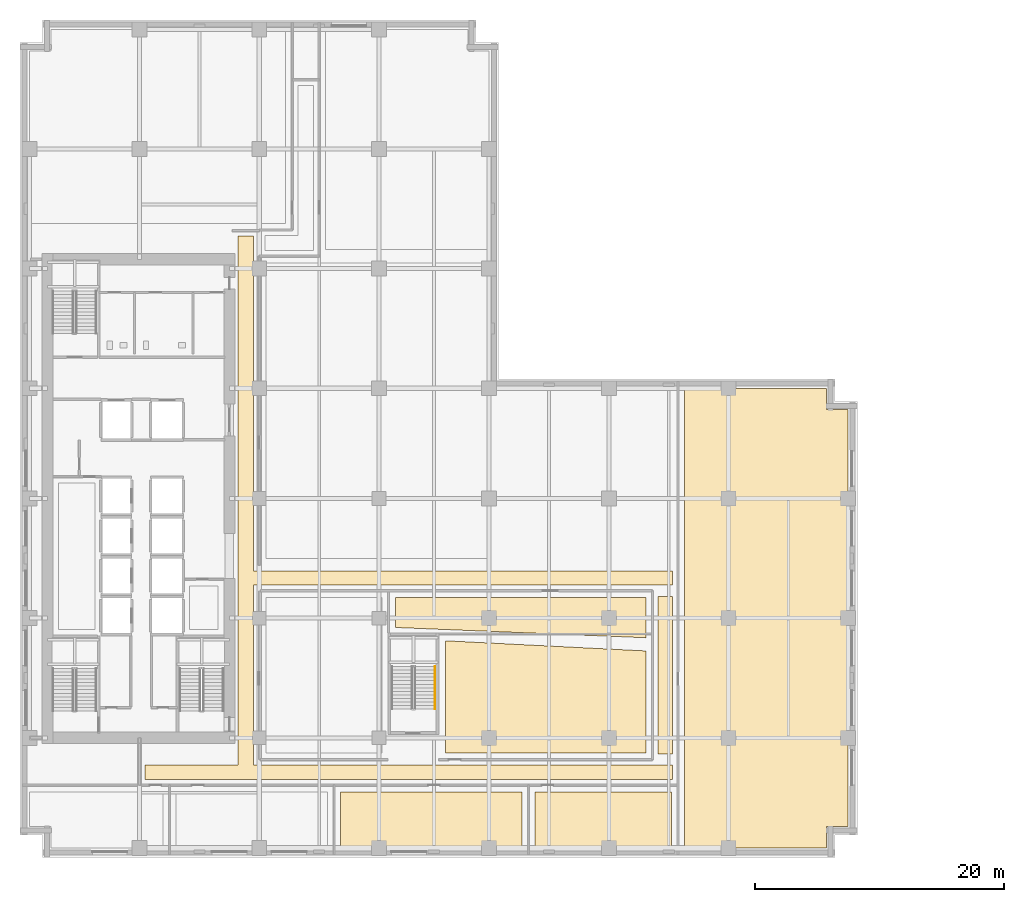
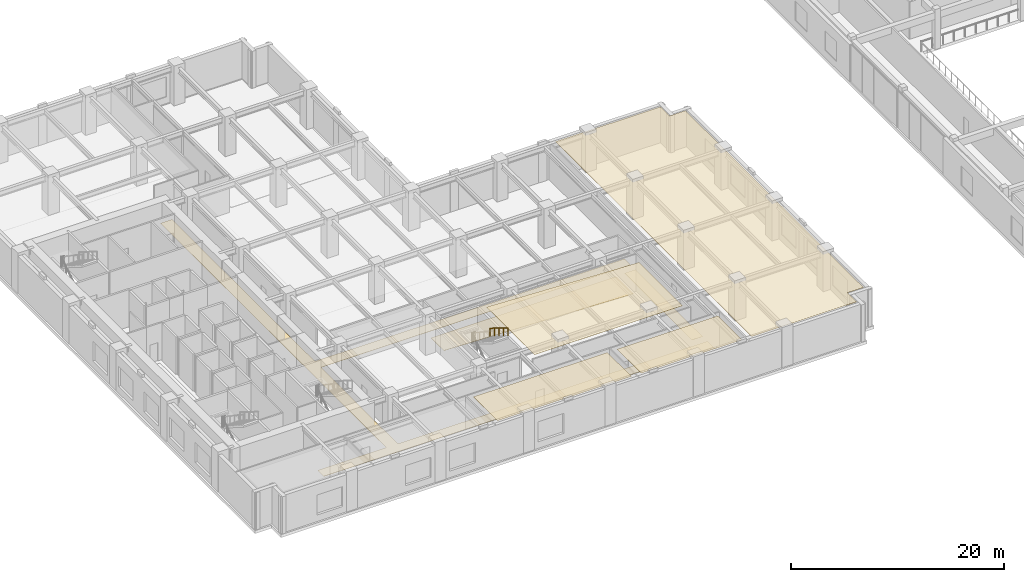
# One storey, part 19 of 24: 7 coverings, 1 railing.
"""IFC4 building model written with IfcOpenShell, lengths in metres."""

from ifc_helpers import new_model, si_unit, direction, frame, origin, origin_2d, place, context, subcontext, project, spatial, polyline, circle, outline, extrude, material, layer, layer_set, type_object, element, save


model = new_model("IFC4")

# Units and contexts
model_context = context("Model", 3, precision=1e-05, world=origin(), true_north=direction((0.0, 1.0)))
body_context = subcontext(model_context, "Body", "Model", "MODEL_VIEW")
ifc_project = project(units=[si_unit("LENGTHUNIT", "METRE"), si_unit("AREAUNIT", "SQUARE_METRE"), si_unit("VOLUMEUNIT", "CUBIC_METRE"), si_unit("PLANEANGLEUNIT", "RADIAN"), si_unit("MASSUNIT", "GRAM", prefix="KILO")], contexts=[model_context])

# Site, building, storey
site_placement = place(None, origin())
site = spatial("IfcSite", under=ifc_project, at=site_placement, CompositionType="ELEMENT")
building_placement = place(site_placement, origin())
building = spatial("IfcBuilding", under=site, at=building_placement, Name="Norrvale University Quadrangle", CompositionType="ELEMENT")
storey_placement = place(building_placement, frame((0.0, 0.0, 10.39990234375)))
storey = spatial("IfcBuildingStorey", under=building, at=storey_placement, Name="L02", CompositionType="ELEMENT", Elevation=10.39990234375)

# Coverings
ifc_material_1 = material(Name="Perforated Acoustic Mineral Ceiling")
ifc_layer_1 = layer(ifc_material_1, 0.02490234375, Name="Perforated Acoustic Mineral Ceiling")
ifc_layer_set_1 = layer_set([ifc_layer_1], Name="Perforated Acoustic Mineral Ceiling")
covering_type_1 = type_object("IfcCoveringType", Name="Covering Acoustic Ceiling 25", PredefinedType="CEILING", material=ifc_layer_set_1)
covering_1_placement = place(storey_placement, frame((0.0, 0.0, 4.235107421875)))
element("IfcCovering", 1, at=covering_1_placement, inside=storey, type_object=covering_type_1, Name="Acoustic Ceiling RM-L02-S03", PredefinedType="CEILING", context=body_context, shape_type="SweptSolid", body=[
    extrude(outline(polyline([(25.72998046875, 5.27001953125), (40.27001953125, 5.27001953125), (40.27001953125, 0.75), (25.72998046875, 0.75), (25.72998046875, 5.27001953125)])), origin(), (0.0, 0.0, 1.0), 0.02490234375),
])
covering_2_placement = place(storey_placement, frame((0.0, 0.0, 4.235107421875)))
element("IfcCovering", 2, at=covering_2_placement, inside=storey, type_object=covering_type_1, Name="Acoustic Ceiling RM-L02-S04", PredefinedType="CEILING", context=body_context, shape_type="SweptSolid", body=[
    extrude(outline(polyline([(41.330078125, 5.27001953125), (52.27001953125, 5.27001953125), (52.27001953125, 0.75), (41.330078125, 0.75), (41.330078125, 5.27001953125)])), origin(), (0.0, 0.0, 1.0), 0.02490234375),
])
covering_3_placement = place(storey_placement, frame((0.0, 0.0, 4.235107421875)))
element("IfcCovering", 3, at=covering_3_placement, inside=storey, type_object=covering_type_1, Name="Acoustic Ceiling RM-L02-E01", PredefinedType="CEILING", context=body_context, shape_type="SweptSolid", body=[
    extrude(outline(polyline([(53.330078125, 0.75), (53.330078125, 37.64990234375), (64.72998046875, 37.64990234375), (64.72998046875, 35.929931640625), (66.449951171875, 35.929931640625), (66.449951171875, 2.469970703125), (64.72998046875, 2.469970703125), (64.72998046875, 0.75), (53.330078125, 0.75)])), origin(), (0.0, 0.0, 1.0), 0.02490234375),
])
covering_4_placement = place(storey_placement, frame((0.0, 0.0, 4.235107421875)))
element("IfcCovering", 4, at=covering_4_placement, inside=storey, type_object=covering_type_1, Name="Acoustic Ceiling RM-L02-ISE", PredefinedType="CEILING", context=body_context, shape_type="SweptSolid", body=[
    extrude(outline(polyline([(34.14990234375, 8.3798828125), (34.14990234375, 17.386962890625), (50.219970703125, 16.572021484375), (50.219970703125, 8.3798828125), (34.14990234375, 8.3798828125)])), origin(), (0.0, 0.0, 1.0), 0.02490234375),
])
ifc_material_2 = material(Name="Polished Terrazzo Flooring")
ifc_layer_2 = layer(ifc_material_2, 0.02490234375, Name="Polished Terrazzo Flooring")
ifc_layer_set_2 = layer_set([ifc_layer_2], Name="Polished Terrazzo Flooring")
covering_type_2 = type_object("IfcCoveringType", Name="Covering Terrazzo Floor 30", PredefinedType="FLOORING", material=ifc_layer_set_2)
covering_5_placement = place(storey_placement, origin())
element("IfcCovering", 5, at=covering_5_placement, inside=storey, type_object=covering_type_2, Name="Terrazzo Flooring RM-L02-CORR1", PredefinedType="FLOORING", context=body_context, shape_type="SweptSolid", body=[
    extrude(outline(polyline([(10.050048828125, 6.25), (10.050048828125, 7.39990234375), (17.5, 7.39990234375), (17.5, 49.85009765625), (18.75, 49.85009765625), (18.75, 23.0), (52.35009765625, 23.0), (52.35009765625, 21.85009765625), (18.75, 21.85009765625), (18.75, 7.39990234375), (52.35009765625, 7.39990234375), (52.35009765625, 6.25), (10.050048828125, 6.25)])), origin(), (0.0, 0.0, 1.0), 0.025146484375),
])
covering_6_placement = place(storey_placement, origin())
element("IfcCovering", 6, at=covering_6_placement, inside=storey, type_object=covering_type_2, Name="Terrazzo Flooring RM-L02-CORR2", PredefinedType="FLOORING", context=body_context, shape_type="SweptSolid", body=[
    extrude(outline(polyline([(51.199951171875, 8.300048828125), (51.199951171875, 20.949951171875), (52.35009765625, 20.949951171875), (52.35009765625, 8.300048828125), (51.199951171875, 8.300048828125)])), origin(), (0.0, 0.0, 1.0), 0.025146484375),
])
covering_7_placement = place(storey_placement, origin())
element("IfcCovering", 7, at=covering_7_placement, inside=storey, type_object=covering_type_2, Name="Terrazzo Flooring RM-L02-ILH", PredefinedType="FLOORING", context=body_context, shape_type="SweptSolid", body=[
    extrude(outline(polyline([(30.1298828125, 18.451904296875), (30.1298828125, 20.8701171875), (50.219970703125, 20.8701171875), (50.219970703125, 17.62890625), (30.1298828125, 18.451904296875)])), origin(), (0.0, 0.0, 1.0), 0.025146484375),
])

# Railing
ifc_material_3 = material(Name="Stainless Steel 316L Handrail", Category="steel")
railing_type = type_object("IfcRailingType", Name="Railing Stair Handrail 920", PredefinedType="HANDRAIL", material=ifc_material_3)
railing_placement = place(storey_placement, frame((33.31005859375, 15.320068359375, 2.47705078125)))
element("IfcRailing", 8, at=railing_placement, inside=storey, type_object=railing_type, Name="Stair Upper Flight Handrail ST-04 L02", PredefinedType="HANDRAIL", context=body_context, shape_type="SweptSolid", body=[
    extrude(circle(Radius=0.02392578125, at=origin_2d()), frame((0.0, 0.0, 0.89599609375), z_axis=(0.0, -0.849619550393, 0.527396074682), x_axis=(1.0, 0.0, 0.0)), (0.0, 0.0, 1.0), 4.025634765625),
    extrude(circle(Radius=0.02099609375, at=origin_2d()), origin(), (0.0, 0.0, 1.0), 0.871826171875),
    extrude(circle(Radius=0.02099609375, at=origin_2d()), frame((0.0, -0.85498046875, 0.53076171875)), (0.0, 0.0, 1.0), 0.871826171875),
    extrude(circle(Radius=0.02099609375, at=origin_2d()), frame((0.0, -1.7099609375, 1.0615234375)), (0.0, 0.0, 1.0), 0.871826171875),
    extrude(circle(Radius=0.02099609375, at=origin_2d()), frame((0.0, -2.565185546875, 1.59228515625)), (0.0, 0.0, 1.0), 0.871826171875),
    extrude(circle(Radius=0.02099609375, at=origin_2d()), frame((0.0, -3.420166015625, 2.123046875)), (0.0, 0.0, 1.0), 0.871826171875),
])

save(model, "model.ifc")
